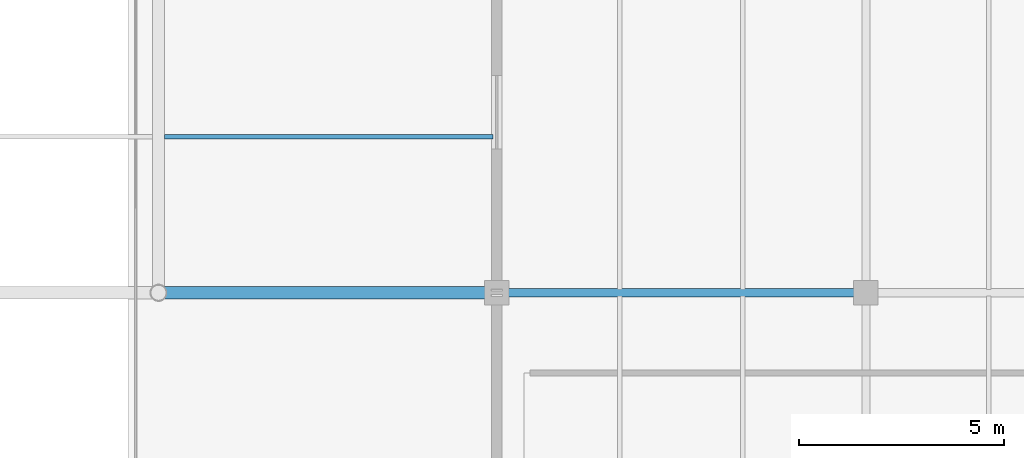
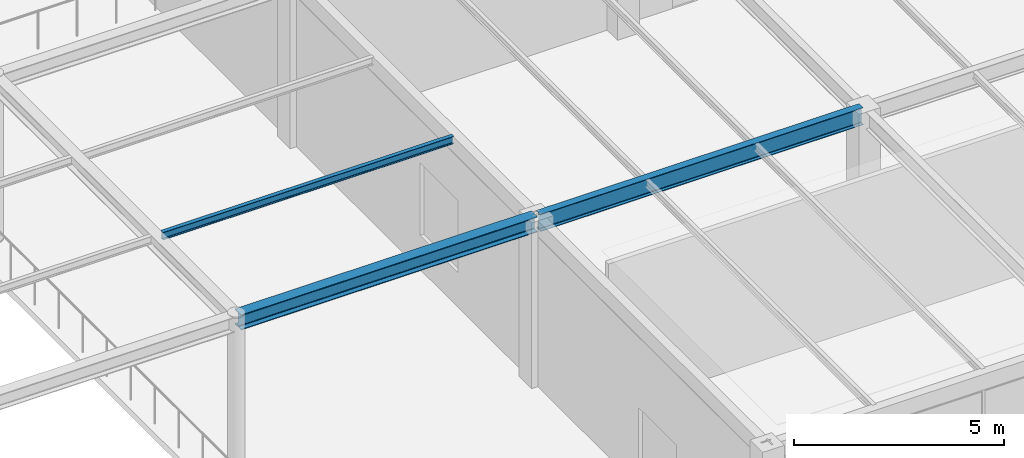
# One storey, part 50 of 143: 3 beams.
"""IFC4 building model written with IfcOpenShell, lengths in metres."""

from ifc_helpers import new_model, si_unit, direction, frame, origin, origin_2d, place, context, subcontext, project, spatial, i_section, extrude, material, material_profile, profile_set, type_object, element, save


model = new_model("IFC4")

# Units and contexts
model_context = context("Model", 3, precision=1e-05, world=origin(), true_north=direction((0.0, 1.0)))
body_context = subcontext(model_context, "Body", "Model", "MODEL_VIEW")
ifc_project = project(units=[si_unit("LENGTHUNIT", "METRE"), si_unit("AREAUNIT", "SQUARE_METRE"), si_unit("VOLUMEUNIT", "CUBIC_METRE"), si_unit("PLANEANGLEUNIT", "RADIAN"), si_unit("MASSUNIT", "GRAM", prefix="KILO")], contexts=[model_context])

# Site, building, storey
site_placement = place(None, origin())
site = spatial("IfcSite", under=ifc_project, at=site_placement, CompositionType="ELEMENT")
building_placement = place(site_placement, origin())
building = spatial("IfcBuilding", under=site, at=building_placement, Name="Marlcrest Central Station", CompositionType="ELEMENT")
storey_placement = place(building_placement, frame((0.0, 0.0, 4.800048828125)))
storey = spatial("IfcBuildingStorey", under=building, at=storey_placement, Name="L01", CompositionType="ELEMENT", Elevation=4.800048828125)

# Beams
ifc_material = material(Name="Steel S355", Category="steel")
ifc_material_profile_1 = material_profile(ifc_material, i_section(OverallWidth=0.199951171875, OverallDepth=0.5, WebThickness=0.01025390625, FlangeThickness=0.01611328125, FilletRadius=0.02099609375, at=origin_2d()), Name="IPE 500")
ifc_profile_set_1 = profile_set([ifc_material_profile_1], Name="Steel S355")
beam_type_1 = type_object("IfcBeamType", Name="BM-05", PredefinedType="BEAM", material=ifc_profile_set_1)
beam_1_placement = place(storey_placement, frame((153.06005859375, 11.0, 4.56494140625), z_axis=(1.0, 0.0, 0.0), x_axis=(0.0, 1.0, 0.0)))
element("IfcBeam", 1, at=beam_1_placement, inside=storey, type_object=beam_type_1, Name="bm-BM-05-L01-00866", PredefinedType="BEAM", context=body_context, shape_type="SweptSolid", body=[
    extrude(i_section(OverallWidth=0.199951171875, OverallDepth=0.5, WebThickness=0.01025390625, FlangeThickness=0.01611328125, FilletRadius=0.02099609375, at=origin_2d()), origin(), (0.0, 0.0, 1.0), 8.8798828125),
])
ifc_material_profile_2 = material_profile(ifc_material, i_section(OverallWidth=0.300048828125, OverallDepth=0.43994140625, WebThickness=0.011474609375, FlangeThickness=0.02099609375, FilletRadius=0.027099609375, at=origin_2d()), Name="HEA 450")
ifc_profile_set_2 = profile_set([ifc_material_profile_2], Name="Steel S355")
beam_type_2 = type_object("IfcBeamType", Name="BM-09", PredefinedType="BEAM", material=ifc_profile_set_2)
beam_2_placement = place(storey_placement, frame((144.800048828125, 11.0, 4.594970703125), z_axis=(1.0, 0.0, 0.0), x_axis=(0.0, 1.0, 0.0)))
element("IfcBeam", 2, at=beam_2_placement, inside=storey, type_object=beam_type_2, Name="bm-BM-09-L01-01542", PredefinedType="BEAM", context=body_context, shape_type="SweptSolid", body=[
    extrude(i_section(OverallWidth=0.300048828125, OverallDepth=0.43994140625, WebThickness=0.011474609375, FlangeThickness=0.02099609375, FilletRadius=0.027099609375, at=origin_2d()), origin(), (0.0, 0.0, 1.0), 8.14990234375),
])
ifc_material_profile_3 = material_profile(ifc_material, i_section(OverallWidth=0.110107421875, OverallDepth=0.219970703125, WebThickness=0.005859375, FlangeThickness=0.00927734375, FilletRadius=0.011962890625, at=origin_2d()), Name="IPE 220")
ifc_profile_set_3 = profile_set([ifc_material_profile_3], Name="Steel S355")
beam_type_3 = type_object("IfcBeamType", Name="JS-02", PredefinedType="JOIST", material=ifc_profile_set_3)
beam_3_placement = place(storey_placement, frame((144.89501953125, 14.800048828125, 4.704833984375), z_axis=(1.0, 0.0, 0.0), x_axis=(0.0, 1.0, 0.0)))
element("IfcBeam", 3, at=beam_3_placement, inside=storey, type_object=beam_type_3, Name="bm-JS-02-L01-01545", PredefinedType="JOIST", context=body_context, shape_type="SweptSolid", body=[
    extrude(i_section(OverallWidth=0.110107421875, OverallDepth=0.219970703125, WebThickness=0.005859375, FlangeThickness=0.00927734375, FilletRadius=0.011962890625, at=origin_2d()), origin(), (0.0, 0.0, 1.0), 8.010009765625),
])

save(model, "model.ifc")
